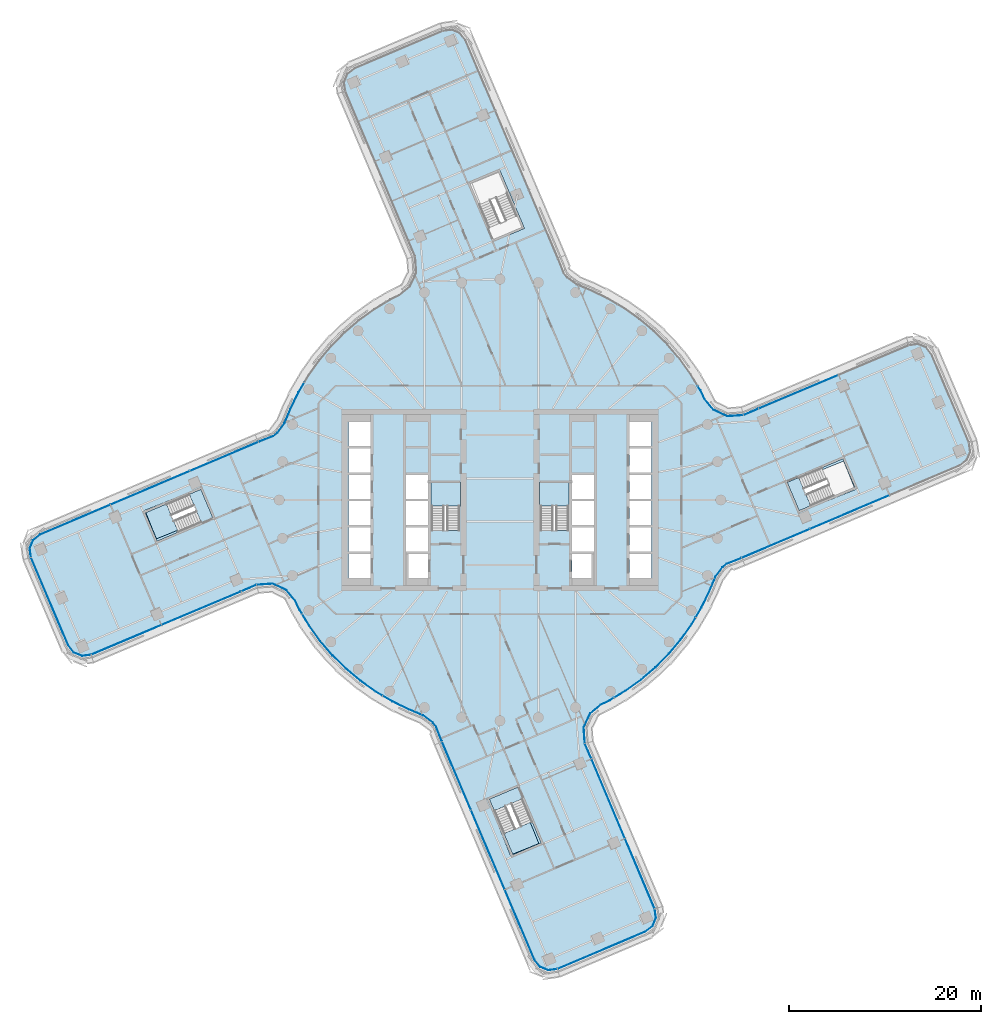
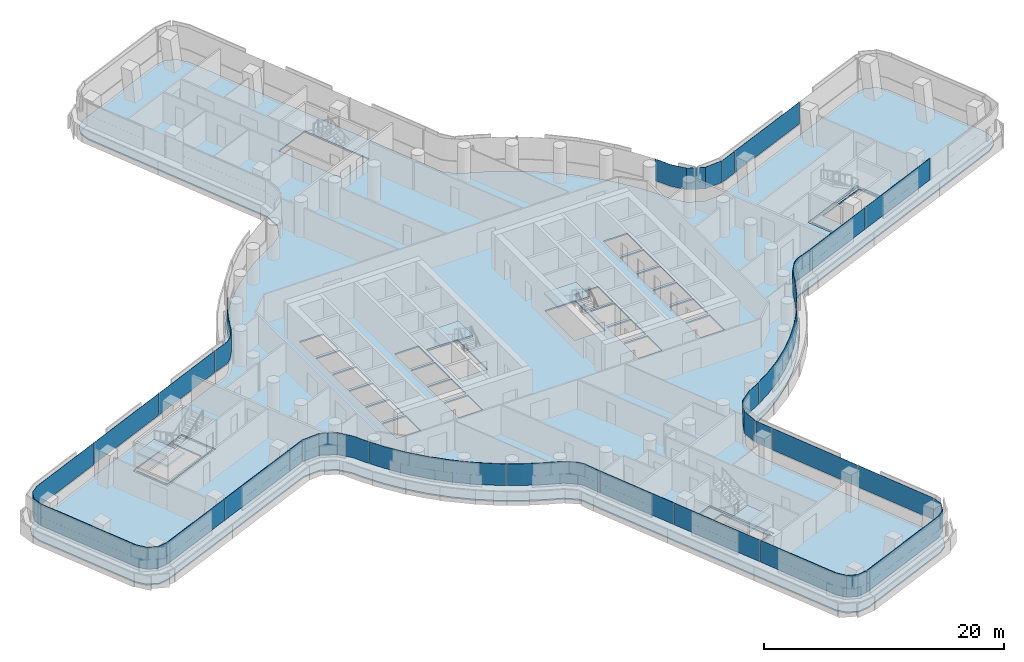
# One storey, part 19 of 35: 26 plates, 8 slabs, 16 elements without a shape of their own.
"""IFC4 building model written with IfcOpenShell, lengths in metres."""

import ifcopenshell
import ifcopenshell.guid

model = None  # the IFC model being written
_history = None  # IfcOwnerHistory: only IFC2X3 demands one
_inside = {}  # id of a spatial element -> (the spatial element, [elements in it])
_under = {}  # id of a project, library or spatial element -> (it, [spatial elements below it])
_declared = {}  # id of a project -> (the project, [libraries it declares])
_typed = {}  # id of a type object -> (the type object, [elements of that type])
_made_of = {}  # id of a material, layer set ... -> (it, [elements and type objects made of it])


def new_model(schema):
    """Start an empty IFC model of exactly this schema.

    Asked for "IFC4X3", IfcOpenShell would pick the latest addendum, in which some entities
    have other attributes; the version numbers below select the first issue.
    IFC2X3 requires an IfcOwnerHistory on every rooted entity: one is made here for all.
    """
    global model, _history
    if schema == "IFC4X3":
        model = ifcopenshell.file(schema_version=(4, 3, 0, 0))
    else:
        model = ifcopenshell.file(schema=schema)
    _inside.clear()
    _under.clear()
    _declared.clear()
    _typed.clear()
    _made_of.clear()
    _history = None
    if model.schema == "IFC2X3":
        org = make("IfcOrganization", Name="unknown")
        user = make(
            "IfcPersonAndOrganization",
            ThePerson=make("IfcPerson", FamilyName="unknown"),
            TheOrganization=org,
        )
        app = make(
            "IfcApplication",
            ApplicationDeveloper=org,
            Version="unknown",
            ApplicationFullName="unknown",
            ApplicationIdentifier="unknown",
        )
        _history = make(
            "IfcOwnerHistory",
            OwningUser=user,
            OwningApplication=app,
            ChangeAction="ADDED",
            CreationDate=0,
        )
    return model


def make(cls, **values):
    """One entity of the class cls with the attributes given. An attribute that is None is left unset."""
    return model.create_entity(
        cls, **{name: value for name, value in values.items() if value is not None}
    )


def rooted(cls, **values):
    """An entity with a GlobalId (a new one), such as an element, a storey or a relation."""
    return make(cls, GlobalId=ifcopenshell.guid.new(), OwnerHistory=_history, **values)


def si_unit(unit_type, name, prefix=None):
    """IfcSIUnit, for example si_unit("LENGTHUNIT", "METRE", prefix="MILLI")."""
    return make("IfcSIUnit", UnitType=unit_type, Prefix=prefix, Name=name)


def assignment(units):
    """IfcUnitAssignment: the units of a project."""
    return None if units is None else make("IfcUnitAssignment", Units=units)


def point(xyz):
    """IfcCartesianPoint."""
    return None if xyz is None else make("IfcCartesianPoint", Coordinates=xyz)


def direction(xyz):
    """IfcDirection."""
    return None if xyz is None else make("IfcDirection", DirectionRatios=xyz)


def frame(location, z_axis=None, x_axis=None):
    """IfcAxis2Placement3D, a coordinate frame: its origin and axes. An axis left out is left unset."""
    return make(
        "IfcAxis2Placement3D",
        Location=point(location),
        Axis=direction(z_axis),
        RefDirection=direction(x_axis),
    )


def origin():
    """The frame at (0, 0, 0) with its axes left unset."""
    return frame((0.0, 0.0, 0.0))


def place(relative_to, where):
    """IfcLocalPlacement: puts the frame where relative to a parent placement (None: the world)."""
    return make(
        "IfcLocalPlacement", PlacementRelTo=relative_to, RelativePlacement=where
    )


def context(
    kind, dimensions, precision=None, world=None, true_north=None, identifier=None
):
    """IfcGeometricRepresentationContext, for example the 3D "Model" context."""
    return make(
        "IfcGeometricRepresentationContext",
        ContextIdentifier=identifier,
        ContextType=kind,
        CoordinateSpaceDimension=dimensions,
        Precision=precision,
        WorldCoordinateSystem=world,
        TrueNorth=true_north,
    )


def subcontext(parent, identifier, kind, view, scale=None):
    """IfcGeometricRepresentationSubContext, for example "Body" below "Model"."""
    return make(
        "IfcGeometricRepresentationSubContext",
        ContextIdentifier=identifier,
        ContextType=kind,
        ParentContext=parent,
        TargetScale=scale,
        TargetView=view,
    )


def project(units=None, contexts=None):
    """IfcProject with its units and contexts."""
    return rooted(
        "IfcProject",
        Name="project",
        RepresentationContexts=contexts,
        UnitsInContext=assignment(units),
    )


def spatial(cls, under=None, at=None, **own):
    """A site, building, storey or space (cls), placed at a placement, below another one or the project."""
    s = rooted(cls, ObjectPlacement=at, **own)
    if under is not None:
        _under.setdefault(under.id(), (under, []))[1].append(s)
    return s


def polyline(points):
    """IfcPolyline through the points."""
    return make("IfcPolyline", Points=[point(p) for p in points])


def outline(outer, holes=None, kind="AREA"):
    """IfcArbitraryClosedProfileDef: a profile drawn as a closed curve; with holes, ...WithVoids."""
    if holes is None:
        return make("IfcArbitraryClosedProfileDef", ProfileType=kind, OuterCurve=outer)
    return make(
        "IfcArbitraryProfileDefWithVoids",
        ProfileType=kind,
        OuterCurve=outer,
        InnerCurves=holes,
    )


def extrude(swept, where, along, depth):
    """IfcExtrudedAreaSolid: the profile swept, set in the frame where, extruded along a direction by depth."""
    return make(
        "IfcExtrudedAreaSolid",
        SweptArea=swept,
        Position=where,
        ExtrudedDirection=direction(along),
        Depth=depth,
    )


def shape(context_of_items, identifier, shape_type, items):
    """IfcShapeRepresentation: the items that make up one representation, for example the "Body"."""
    return make(
        "IfcShapeRepresentation",
        ContextOfItems=context_of_items,
        RepresentationIdentifier=identifier,
        RepresentationType=shape_type,
        Items=items,
    )


def material(Name=None, Category=None):
    """IfcMaterial."""
    return make("IfcMaterial", Name=Name, Category=Category)


def layer(
    of_material, thickness, ventilated=None, Name=None, Category=None, Priority=None
):
    """IfcMaterialLayer: one layer of a wall or slab, of a material (None: an air gap)."""
    return make(
        "IfcMaterialLayer",
        Material=of_material,
        LayerThickness=thickness,
        IsVentilated=ventilated,
        Name=Name,
        Category=Category,
        Priority=Priority,
    )


def layer_set(layers, Name=None):
    """IfcMaterialLayerSet."""
    return make("IfcMaterialLayerSet", MaterialLayers=layers, LayerSetName=Name)


def made_of(thing, what):
    """Note that an element or type object is made of a material, layer set ...; save() writes the relation."""
    if what is not None:
        _made_of.setdefault(what.id(), (what, []))[1].append(thing)
    return thing


def type_object(cls, material=None, **own):
    """A type object (cls), such as IfcWallType, which elements share."""
    return made_of(rooted(cls, **own), material)


def element(
    cls,
    number,
    at=None,
    inside=None,
    cuts=None,
    type_object=None,
    material=None,
    context=None,
    identifier="Body",
    shape_type=None,
    held_by="IfcProductDefinitionShape",
    body=None,
    shapes=None,
    **own,
):
    """One element of the class cls, such as IfcWall. Its Tag is "e" and its number.

    at: its placement. inside: the storey or other place that contains it. cuts: it is an
    opening in that element (IfcRelVoidsElement). A single representation is given by context,
    identifier, shape_type and body (its items); several are given by shapes. held_by: the class
    of the entity that holds the representations. save() writes the other relations.
    """
    e = rooted(cls, Tag="e%d" % number, ObjectPlacement=at, **own)
    if body is not None:
        shapes = [shape(context, identifier, shape_type, body)]
    if shapes is not None:
        e.Representation = make(held_by, Representations=shapes)
    if inside is not None:
        _inside.setdefault(inside.id(), (inside, []))[1].append(e)
    if cuts is not None:
        rooted(
            "IfcRelVoidsElement", RelatingBuildingElement=cuts, RelatedOpeningElement=e
        )
    if type_object is not None:
        _typed.setdefault(type_object.id(), (type_object, []))[1].append(e)
    return made_of(e, material)


def aggregate(whole, parts):
    """IfcRelAggregates: a whole, such as a stair, and the parts it consists of."""
    return rooted("IfcRelAggregates", RelatingObject=whole, RelatedObjects=parts)


def save(model, path):
    """Write the relations noted so far, then the file.

    IfcRelAggregates (storeys below a building ...), IfcRelContainedInSpatialStructure (elements
    in a storey), IfcRelDefinesByType, IfcRelAssociatesMaterial and IfcRelDeclares: one each for
    every whole, place, type object, material and project.
    """
    for whole, parts in _under.values():
        aggregate(whole, parts)
    for where, things in _inside.values():
        rooted(
            "IfcRelContainedInSpatialStructure",
            RelatedElements=things,
            RelatingStructure=where,
        )
    for kind, things in _typed.values():
        rooted("IfcRelDefinesByType", RelatedObjects=things, RelatingType=kind)
    for what, things in _made_of.values():
        rooted("IfcRelAssociatesMaterial", RelatedObjects=things, RelatingMaterial=what)
    for by, libraries in _declared.values():
        rooted("IfcRelDeclares", RelatingContext=by, RelatedDefinitions=libraries)
    model.write(path)


model = new_model("IFC4")

# Units and contexts
model_context = context("Model", 3, precision=1e-05, world=origin(), true_north=direction((0.0, 1.0)))
body_context = subcontext(model_context, "Body", "Model", "MODEL_VIEW")
ifc_project = project(units=[si_unit("LENGTHUNIT", "METRE"), si_unit("AREAUNIT", "SQUARE_METRE"), si_unit("VOLUMEUNIT", "CUBIC_METRE"), si_unit("PLANEANGLEUNIT", "RADIAN"), si_unit("MASSUNIT", "GRAM", prefix="KILO")], contexts=[model_context])

# Site, building, storey
site_placement = place(None, origin())
site = spatial("IfcSite", under=ifc_project, at=site_placement, CompositionType="ELEMENT")
building_placement = place(site_placement, origin())
building = spatial("IfcBuilding", under=site, at=building_placement, Name="Tamarind Cross Interchange Tower", CompositionType="ELEMENT")
storey_placement = place(building_placement, frame((0.0, 0.0, 117.25)))
storey = spatial("IfcBuildingStorey", under=building, at=storey_placement, Name="L28", CompositionType="ELEMENT", Elevation=117.25)

# Slabs
ifc_material_1 = material(Name="Concrete C35", Category="concrete")
ifc_layer_1 = layer(ifc_material_1, 0.139892578125)
ifc_layer_set_1 = layer_set([ifc_layer_1], Name="Concrete C35")
slab_type_1 = type_object("IfcSlabType", Name="Composite slab 140 Concrete C35", PredefinedType="FLOOR", material=ifc_layer_set_1)
slab_1_placement = place(storey_placement, frame((0.0, 0.0, -0.139892578125)))
element("IfcSlab", 1, at=slab_1_placement, inside=storey, type_object=slab_type_1, Name="Floor slab L28", PredefinedType="FLOOR", context=body_context, shape_type="SweptSolid", body=[
    extrude(outline(polyline([(-23.7216796875, 6.82763671875), (-25.25927734375, 6.22119140625), (-47.982177734375, -3.41748046875), (-48.798095703125, -4.0546875), (-49.186279296875, -5.014404296875), (-49.04248046875, -6.03955078125), (-45.137451171875, -15.24560546875), (-44.500244140625, -16.0615234375), (-43.54052734375, -16.44970703125), (-42.51513671875, -16.305908203125), (-25.299560546875, -9.03759765625), (-23.701904296875, -8.923583984375), (-22.36865234375, -9.552978515625), (-21.50244140625, -10.614501953125), (-21.054443359375, -11.511474609375), (-20.031982421875, -13.2109375), (-18.87255859375, -14.820068359375), (-17.584228515625, -16.327880859375), (-16.17578125, -17.72412109375), (-14.656982421875, -18.99951171875), (-13.0380859375, -20.14501953125), (-11.329833984375, -21.15283203125), (-9.54443359375, -22.01611328125), (-8.08837890625, -22.62158203125), (-7.146484375, -23.318115234375), (-6.82763671875, -23.7216796875), (-6.22119140625, -25.25927734375), (3.41748046875, -47.982177734375), (4.0546875, -48.798095703125), (5.014404296875, -49.186279296875), (6.03955078125, -49.04248046875), (15.24560546875, -45.137451171875), (16.0615234375, -44.500244140625), (16.44970703125, -43.54052734375), (16.305908203125, -42.51513671875), (9.03759765625, -25.299560546875), (8.923583984375, -23.701904296875), (9.552978515625, -22.36865234375), (10.614501953125, -21.50244140625), (11.511474609375, -21.054443359375), (13.2109375, -20.031982421875), (14.820068359375, -18.87255859375), (16.327880859375, -17.584228515625), (17.72412109375, -16.17578125), (18.99951171875, -14.656982421875), (20.14501953125, -13.0380859375), (21.15283203125, -11.329833984375), (22.01611328125, -9.54443359375), (22.62158203125, -8.08837890625), (23.318115234375, -7.146484375), (23.7216796875, -6.82763671875), (25.25927734375, -6.22119140625), (47.982177734375, 3.41748046875), (48.798095703125, 4.0546875), (49.186279296875, 5.014404296875), (49.04248046875, 6.03955078125), (45.137451171875, 15.24560546875), (44.500244140625, 16.0615234375), (43.54052734375, 16.44970703125), (42.51513671875, 16.305908203125), (25.299560546875, 9.03759765625), (23.701904296875, 8.923583984375), (22.36865234375, 9.552978515625), (21.50244140625, 10.614501953125), (21.054443359375, 11.511474609375), (20.031982421875, 13.2109375), (18.87255859375, 14.820068359375), (17.584228515625, 16.327880859375), (16.17578125, 17.72412109375), (14.656982421875, 18.99951171875), (13.0380859375, 20.14501953125), (11.329833984375, 21.15283203125), (9.54443359375, 22.01611328125), (8.08837890625, 22.62158203125), (7.146484375, 23.318115234375), (6.82763671875, 23.7216796875), (6.22119140625, 25.25927734375), (-3.41748046875, 47.982177734375), (-4.0546875, 48.798095703125), (-5.014404296875, 49.186279296875), (-6.03955078125, 49.04248046875), (-15.24560546875, 45.137451171875), (-16.0615234375, 44.500244140625), (-16.44970703125, 43.54052734375), (-16.305908203125, 42.51513671875), (-9.03759765625, 25.299560546875), (-8.923583984375, 23.701904296875), (-9.552978515625, 22.36865234375), (-10.614501953125, 21.50244140625), (-11.511474609375, 21.054443359375), (-13.2109375, 20.031982421875), (-14.820068359375, 18.87255859375), (-16.327880859375, 17.584228515625), (-17.72412109375, 16.17578125), (-18.99951171875, 14.656982421875), (-20.14501953125, 13.0380859375), (-21.15283203125, 11.329833984375), (-22.01611328125, 9.54443359375), (-22.62158203125, 8.08837890625), (-23.318115234375, 7.146484375), (-23.7216796875, 6.82763671875)]), holes=[polyline([(-13.5, -8.125), (-15.800048828125, -8.125), (-15.800048828125, -5.625), (-13.5, -5.625), (-13.5, -8.125)]), polyline([(-7.5, -8.125), (-9.800048828125, -8.125), (-9.800048828125, -5.625), (-7.5, -5.625), (-7.5, -8.125)]), polyline([(-13.5, -5.375), (-15.800048828125, -5.375), (-15.800048828125, -2.875), (-13.5, -2.875), (-13.5, -5.375)]), polyline([(-35.8173828125, -4.5576171875), (-35.8955078125, -4.373291015625), (-37.14501953125, -1.427490234375), (-37.22314453125, -1.243408203125), (-36.960693359375, -1.132080078125), (-36.98291015625, -1.076416015625), (-33.931640625, 0.15283203125), (-31.05517578125, 1.373046875), (-30.97705078125, 1.18896484375), (-29.727294921875, -1.757080078125), (-29.6494140625, -1.941162109375), (-35.8173828125, -4.5576171875)]), polyline([(-13.5, -2.625), (-15.800048828125, -2.625), (-15.800048828125, -0.125), (-13.5, -0.125), (-13.5, -2.625)]), polyline([(-7.5, -2.625), (-9.800048828125, -2.625), (-9.800048828125, -0.125), (-7.5, -0.125), (-7.5, -2.625)]), polyline([(-13.5, 0.125), (-15.800048828125, 0.125), (-15.800048828125, 2.625), (-13.5, 2.625), (-13.5, 0.125)]), polyline([(-7.5, 0.125), (-9.800048828125, 0.125), (-9.800048828125, 2.625), (-7.5, 2.625), (-7.5, 0.125)]), polyline([(-13.5, 2.875), (-15.800048828125, 2.875), (-15.800048828125, 5.375), (-13.5, 5.375), (-13.5, 2.875)]), polyline([(-15.800048828125, 5.625), (-15.800048828125, 8.125), (-13.5, 8.125), (-13.5, 5.625), (-15.800048828125, 5.625)]), polyline([(4.5576171875, -35.8173828125), (4.373291015625, -35.8955078125), (1.427490234375, -37.14501953125), (1.243408203125, -37.22314453125), (1.132080078125, -36.960693359375), (1.076416015625, -36.98291015625), (-0.15283203125, -33.931640625), (-1.373046875, -31.05517578125), (-1.18896484375, -30.97705078125), (1.757080078125, -29.727294921875), (1.941162109375, -29.6494140625), (4.5576171875, -35.8173828125)]), polyline([(-9.800048828125, -5.375), (-9.800048828125, -2.875), (-7.5, -2.875), (-7.5, -5.375), (-9.800048828125, -5.375)]), polyline([(-4.199951171875, -3.18798828125), (-7.14990234375, -3.18798828125), (-7.14990234375, 1.800048828125), (-4.199951171875, 1.800048828125), (-4.199951171875, -3.18798828125)]), polyline([(7.14990234375, 1.800048828125), (7.14990234375, -3.18798828125), (4.199951171875, -3.18798828125), (4.199951171875, 1.800048828125), (7.14990234375, 1.800048828125)]), polyline([(7.5, 2.625), (9.800048828125, 2.625), (9.800048828125, 0.125), (7.5, 0.125), (7.5, 2.625)]), polyline([(-3.385986328125, 33.055419921875), (-3.201904296875, 33.133544921875), (-0.256103515625, 34.38330078125), (-0.072021484375, 34.461181640625), (0.039794921875, 34.198486328125), (0.044677734375, 34.2001953125), (0.15283203125, 33.931640625), (2.54443359375, 28.293212890625), (2.3603515625, 28.215087890625), (-0.585693359375, 26.965576171875), (-0.769775390625, 26.887451171875), (-3.385986328125, 33.055419921875)]), polyline([(7.5, -5.625), (9.800048828125, -5.625), (9.800048828125, -8.125), (7.5, -8.125), (7.5, -5.625)]), polyline([(15.800048828125, -5.625), (15.800048828125, -8.125), (13.5, -8.125), (13.5, -5.625), (15.800048828125, -5.625)]), polyline([(9.800048828125, -2.875), (9.800048828125, -5.375), (7.5, -5.375), (7.5, -2.875), (9.800048828125, -2.875)]), polyline([(13.5, -2.875), (15.800048828125, -2.875), (15.800048828125, -5.375), (13.5, -5.375), (13.5, -2.875)]), polyline([(7.5, -0.125), (9.800048828125, -0.125), (9.800048828125, -2.625), (7.5, -2.625), (7.5, -0.125)]), polyline([(13.5, -0.125), (15.800048828125, -0.125), (15.800048828125, -2.625), (13.5, -2.625), (13.5, -0.125)]), polyline([(31.05517578125, -1.373046875), (30.97705078125, -1.18896484375), (29.727294921875, 1.757080078125), (29.6494140625, 1.941162109375), (35.8173828125, 4.5576171875), (35.8955078125, 4.373291015625), (37.14501953125, 1.427490234375), (37.22314453125, 1.243408203125), (36.960693359375, 1.132080078125), (36.98291015625, 1.076416015625), (33.931640625, -0.15283203125), (31.05517578125, -1.373046875)]), polyline([(13.5, 2.625), (15.800048828125, 2.625), (15.800048828125, 0.125), (13.5, 0.125), (13.5, 2.625)]), polyline([(15.800048828125, 5.375), (15.800048828125, 2.875), (13.5, 2.875), (13.5, 5.375), (15.800048828125, 5.375)]), polyline([(15.800048828125, 8.125), (15.800048828125, 5.625), (13.5, 5.625), (13.5, 8.125), (15.800048828125, 8.125)])]), origin(), (0.0, 0.0, 1.0), 0.139892578125),
])
slab_2_placement = place(storey_placement, frame((0.0, 0.0, -0.139892578125)))
element("IfcSlab", 2, at=slab_2_placement, inside=storey, type_object=slab_type_1, Name="Floor slab L28", PredefinedType="FLOOR", context=body_context, shape_type="SweptSolid", body=[
    extrude(outline(polyline([(-35.787353515625, -4.044677734375), (-36.885986328125, -1.3173828125), (-36.9609375, -1.349365234375), (-35.711181640625, -4.29541015625), (-29.91162109375, -1.835205078125), (-31.1611328125, 1.11083984375), (-32.293212890625, 0.630615234375), (-32.368896484375, 0.598388671875), (-31.185791015625, -2.19091796875), (-35.787353515625, -4.044677734375)])), origin(), (0.0, 0.0, 1.0), 0.139892578125),
])
slab_3_placement = place(storey_placement, frame((0.0, 0.0, -0.139892578125)))
element("IfcSlab", 3, at=slab_3_placement, inside=storey, type_object=slab_type_1, Name="Floor slab L28", PredefinedType="FLOOR", context=body_context, shape_type="SweptSolid", body=[
    extrude(outline(polyline([(1.349365234375, -36.9609375), (4.29541015625, -35.711181640625), (1.835205078125, -29.91162109375), (-1.11083984375, -31.1611328125), (-0.630615234375, -32.293212890625), (-0.598388671875, -32.368896484375), (2.19091796875, -31.185791015625), (4.044677734375, -35.787353515625), (1.3173828125, -36.885986328125), (1.349365234375, -36.9609375)])), origin(), (0.0, 0.0, 1.0), 0.139892578125),
])
slab_4_placement = place(storey_placement, frame((0.0, 0.0, -0.139892578125)))
element("IfcSlab", 4, at=slab_4_placement, inside=storey, type_object=slab_type_1, Name="Floor slab L28", PredefinedType="FLOOR", context=body_context, shape_type="SweptSolid", body=[
    extrude(outline(polyline([(35.787353515625, 4.044677734375), (36.885986328125, 1.3173828125), (36.9609375, 1.349365234375), (35.711181640625, 4.29541015625), (29.91162109375, 1.835205078125), (31.1611328125, -1.11083984375), (32.293212890625, -0.630615234375), (32.368896484375, -0.598388671875), (31.185791015625, 2.19091796875), (35.787353515625, 4.044677734375)])), origin(), (0.0, 0.0, 1.0), 0.139892578125),
])

# Stair, slab
ifc_material_2 = material(Name="Exit stair")
stair_type = type_object("IfcStairType", Name="Exit stair", PredefinedType="HALF_TURN_STAIR", material=ifc_material_2)
stair_1_placement = place(storey_placement, origin())
stair_1 = element("IfcStair", 5, at=stair_1_placement, inside=storey, type_object=stair_type, Name="L28 exit stair ST1", PredefinedType="HALF_TURN_STAIR")
ifc_material_3 = material(Name="Concrete C40", Category="concrete")
ifc_layer_2 = layer(ifc_material_3, 0.199951171875)
ifc_layer_set_2 = layer_set([ifc_layer_2], Name="Concrete C40")
slab_type_2 = type_object("IfcSlabType", Name="Stair landing", PredefinedType="LANDING", material=ifc_layer_set_2)
slab_5_placement = place(storey_placement, frame((0.0, 0.0, 1.675048828125)))
slab_5 = element("IfcSlab", 6, at=slab_5_placement, type_object=slab_type_2, Name="ST1 landing 1", PredefinedType="LANDING", context=body_context, shape_type="SweptSolid", body=[
    extrude(outline(polyline([(-4.10009765625, -0.60009765625), (-4.10009765625, 1.800048828125), (-7.199951171875, 1.800048828125), (-7.199951171875, -0.60009765625), (-4.10009765625, -0.60009765625)])), origin(), (0.0, 0.0, 1.0), 0.199951171875),
])
aggregate(stair_1, [slab_5])

stair_2_placement = place(storey_placement, origin())
stair_2 = element("IfcStair", 7, at=stair_2_placement, inside=storey, type_object=stair_type, Name="L28 exit stair ST2", PredefinedType="HALF_TURN_STAIR")
slab_6_placement = place(storey_placement, frame((0.0, 0.0, 1.675048828125)))
slab_6 = element("IfcSlab", 8, at=slab_6_placement, type_object=slab_type_2, Name="ST2 landing 1", PredefinedType="LANDING", context=body_context, shape_type="SweptSolid", body=[
    extrude(outline(polyline([(7.199951171875, -0.60009765625), (7.199951171875, 1.800048828125), (4.10009765625, 1.800048828125), (4.10009765625, -0.60009765625), (7.199951171875, -0.60009765625)])), origin(), (0.0, 0.0, 1.0), 0.199951171875),
])
aggregate(stair_2, [slab_6])

stair_3_placement = place(storey_placement, origin())
stair_3 = element("IfcStair", 9, at=stair_3_placement, inside=storey, type_object=stair_type, Name="L28 exit stair ST5", PredefinedType="HALF_TURN_STAIR")
slab_7_placement = place(storey_placement, frame((0.0, 0.0, 1.675048828125)))
slab_7 = element("IfcSlab", 10, at=slab_7_placement, type_object=slab_type_2, Name="ST5 landing 1", PredefinedType="LANDING", context=body_context, shape_type="SweptSolid", body=[
    extrude(outline(polyline([(-34.740478515625, -0.407470703125), (-36.9609375, -1.349365234375), (-35.71142578125, -4.29541015625), (-33.49072265625, -3.353515625), (-34.740478515625, -0.407470703125)])), origin(), (0.0, 0.0, 1.0), 0.199951171875),
])
aggregate(stair_3, [slab_7])

stair_4_placement = place(storey_placement, origin())
stair_4 = element("IfcStair", 11, at=stair_4_placement, inside=storey, type_object=stair_type, Name="L28 exit stair ST6", PredefinedType="HALF_TURN_STAIR")
slab_8_placement = place(storey_placement, frame((0.0, 0.0, 1.675048828125)))
slab_8 = element("IfcSlab", 12, at=slab_8_placement, type_object=slab_type_2, Name="ST6 landing 1", PredefinedType="LANDING", context=body_context, shape_type="SweptSolid", body=[
    extrude(outline(polyline([(0.407470703125, -34.740478515625), (1.349365234375, -36.9609375), (4.29541015625, -35.71142578125), (3.353515625, -33.49072265625), (0.407470703125, -34.740478515625)])), origin(), (0.0, 0.0, 1.0), 0.199951171875),
])
aggregate(stair_4, [slab_8])

# Curtain wall, plate
ifc_material_4 = material(Name="Aluminium 6063-T6", Category="aluminium")
ifc_layer_3 = layer(ifc_material_4, 0.159912109375)
ifc_layer_set_3 = layer_set([ifc_layer_3], Name="Aluminium 6063-T6")
curtain_wall_type = type_object("IfcCurtainWallType", Name="Office curtain wall, 9.0 m bays", PredefinedType="NOTDEFINED", material=ifc_layer_set_3)
curtain_wall_1_placement = place(storey_placement, origin())
curtain_wall_1 = element("IfcCurtainWall", 13, at=curtain_wall_1_placement, inside=storey, type_object=curtain_wall_type, Name="CWS-L28-00", PredefinedType="NOTDEFINED")
ifc_material_5 = material(Name="Laminated low-e glass 8+1.52+8", Category="glass")
ifc_layer_4 = layer(ifc_material_5, 0.028076171875)
ifc_layer_set_4 = layer_set([ifc_layer_4], Name="Laminated low-e glass 8+1.52+8")
plate_type = type_object("IfcPlateType", Name="Vision panel CW1", PredefinedType="CURTAIN_PANEL", material=ifc_layer_set_4)
plate_1_placement = place(storey_placement, frame((0.0, 0.0, 1.39990234375)))
plate_1 = element("IfcPlate", 14, at=plate_1_placement, type_object=plate_type, Name="CWP-L28-00-00", PredefinedType="CURTAIN_PANEL", context=body_context, shape_type="SweptSolid", body=[
    extrude(outline(polyline([(-48.823486328125, -6.0078125), (-44.951416015625, -15.13623046875), (-44.366943359375, -15.884765625), (-43.513427734375, -16.229736328125), (-42.6005859375, -16.101806640625), (-42.5966796875, -16.12939453125), (-43.516845703125, -16.258544921875), (-44.38427734375, -15.90771484375), (-44.975830078125, -15.150390625), (-48.84912109375, -6.018798828125), (-48.823486328125, -6.0078125)])), origin(), (0.0, 0.0, 1.0), 2.210205078125),
])
aggregate(curtain_wall_1, [plate_1])

# Curtain wall, plates
curtain_wall_2_placement = place(storey_placement, origin())
curtain_wall_2 = element("IfcCurtainWall", 15, at=curtain_wall_2_placement, inside=storey, type_object=curtain_wall_type, Name="CWS-L28-01", PredefinedType="NOTDEFINED")
plate_2_placement = place(storey_placement, frame((0.0, 0.0, 1.39990234375)))
plate_2 = element("IfcPlate", 16, at=plate_2_placement, type_object=plate_type, Name="CWP-L28-01-00", PredefinedType="CURTAIN_PANEL", context=body_context, shape_type="SweptSolid", body=[
    extrude(outline(polyline([(-42.546630859375, -16.0869140625), (-35.271728515625, -13.015380859375), (-35.2607421875, -13.041259765625), (-42.535888671875, -16.112548828125), (-42.546630859375, -16.0869140625)])), origin(), (0.0, 0.0, 1.0), 2.210205078125),
])
plate_3_placement = place(storey_placement, frame((0.0, 0.0, 1.39990234375)))
plate_3 = element("IfcPlate", 17, at=plate_3_placement, type_object=plate_type, Name="CWP-L28-01-01", PredefinedType="CURTAIN_PANEL", context=body_context, shape_type="SweptSolid", body=[
    extrude(outline(polyline([(-35.216552734375, -12.9921875), (-26.977294921875, -9.513671875), (-26.96630859375, -9.53955078125), (-35.20556640625, -13.017822265625), (-35.216552734375, -12.9921875)])), origin(), (0.0, 0.0, 1.0), 2.210205078125),
])
plate_4_placement = place(storey_placement, frame((0.0, 0.0, 1.39990234375)))
plate_4 = element("IfcPlate", 18, at=plate_4_placement, type_object=plate_type, Name="CWP-L28-01-02", PredefinedType="CURTAIN_PANEL", context=body_context, shape_type="SweptSolid", body=[
    extrude(outline(polyline([(-26.921875, -9.490478515625), (-25.3798828125, -8.83935546875), (-25.369140625, -8.865234375), (-26.9111328125, -9.51611328125), (-26.921875, -9.490478515625)])), origin(), (0.0, 0.0, 1.0), 2.210205078125),
])
aggregate(curtain_wall_2, [plate_2, plate_3, plate_4])

curtain_wall_3_placement = place(storey_placement, origin())
curtain_wall_3 = element("IfcCurtainWall", 19, at=curtain_wall_3_placement, inside=storey, type_object=curtain_wall_type, Name="CWS-L28-02", PredefinedType="NOTDEFINED")
plate_5_placement = place(storey_placement, frame((0.0, 0.0, 1.39990234375)))
plate_5 = element("IfcPlate", 20, at=plate_5_placement, type_object=plate_type, Name="CWP-L28-02-00", PredefinedType="CURTAIN_PANEL", context=body_context, shape_type="SweptSolid", body=[
    extrude(outline(polyline([(-25.31787109375, -8.824462890625), (-23.661376953125, -8.7060546875), (-22.2333984375, -9.38037109375), (-21.32177734375, -10.49755859375), (-20.86669921875, -11.408447265625), (-20.609619140625, -11.8359375), (-20.633544921875, -11.850341796875), (-20.891357421875, -11.421875), (-21.345458984375, -10.5126953125), (-22.251220703125, -9.40283203125), (-23.666748046875, -8.734619140625), (-25.31591796875, -8.8525390625), (-25.31787109375, -8.824462890625)])), origin(), (0.0, 0.0, 1.0), 2.210205078125),
])
plate_6_placement = place(storey_placement, frame((0.0, 0.0, 1.39990234375)))
plate_6 = element("IfcPlate", 21, at=plate_6_placement, type_object=plate_type, Name="CWP-L28-02-01", PredefinedType="CURTAIN_PANEL", context=body_context, shape_type="SweptSolid", body=[
    extrude(outline(polyline([(-20.57861328125, -11.887451171875), (-19.85302734375, -13.093017578125), (-18.7041015625, -14.687744140625), (-17.42724609375, -16.18212890625), (-16.031494140625, -17.56591796875), (-14.526123046875, -18.829833984375), (-12.921630859375, -19.965087890625), (-12.257080078125, -20.357177734375), (-12.271240234375, -20.38134765625), (-12.936767578125, -19.988525390625), (-14.543212890625, -18.85205078125), (-16.05029296875, -17.586669921875), (-17.44775390625, -16.201171875), (-18.72607421875, -14.705078125), (-19.87646484375, -13.1083984375), (-20.6025390625, -11.90185546875), (-20.57861328125, -11.887451171875)])), origin(), (0.0, 0.0, 1.0), 2.210205078125),
])
plate_7_placement = place(storey_placement, frame((0.0, 0.0, 1.39990234375)))
plate_7 = element("IfcPlate", 22, at=plate_7_placement, type_object=plate_type, Name="CWP-L28-02-02", PredefinedType="CURTAIN_PANEL", context=body_context, shape_type="SweptSolid", body=[
    extrude(outline(polyline([(-12.205322265625, -20.3876953125), (-11.228759765625, -20.9638671875), (-9.456787109375, -21.82080078125), (-7.982177734375, -22.433837890625), (-6.996337890625, -23.1630859375), (-6.64013671875, -23.613525390625), (-6.033935546875, -25.150634765625), (-6.06005859375, -25.160888671875), (-6.664794921875, -23.627685546875), (-7.01611328125, -23.183349609375), (-7.99609375, -22.45849609375), (-9.46826171875, -21.846435546875), (-11.241943359375, -20.98876953125), (-12.2197265625, -20.411865234375), (-12.205322265625, -20.3876953125)])), origin(), (0.0, 0.0, 1.0), 2.210205078125),
])
aggregate(curtain_wall_3, [plate_5, plate_6, plate_7])

curtain_wall_4_placement = place(storey_placement, origin())
curtain_wall_4 = element("IfcCurtainWall", 23, at=curtain_wall_4_placement, inside=storey, type_object=curtain_wall_type, Name="CWS-L28-03", PredefinedType="NOTDEFINED")
plate_8_placement = place(storey_placement, frame((0.0, 0.0, 1.39990234375)))
plate_8 = element("IfcPlate", 24, at=plate_8_placement, type_object=plate_type, Name="CWP-L28-03-00", PredefinedType="CURTAIN_PANEL", context=body_context, shape_type="SweptSolid", body=[
    extrude(outline(polyline([(-6.011474609375, -25.205810546875), (-3.020263671875, -32.25732421875), (-3.046142578125, -32.268310546875), (-6.037353515625, -25.216552734375), (-6.011474609375, -25.205810546875)])), origin(), (0.0, 0.0, 1.0), 2.210205078125),
])
plate_9_placement = place(storey_placement, frame((0.0, 0.0, 1.39990234375)))
plate_9 = element("IfcPlate", 25, at=plate_9_placement, type_object=plate_type, Name="CWP-L28-03-01", PredefinedType="CURTAIN_PANEL", context=body_context, shape_type="SweptSolid", body=[
    extrude(outline(polyline([(-2.996826171875, -32.3125), (0.489990234375, -40.532958984375), (0.46435546875, -40.5439453125), (-3.022705078125, -32.323486328125), (-2.996826171875, -32.3125)])), origin(), (0.0, 0.0, 1.0), 2.210205078125),
])
plate_10_placement = place(storey_placement, frame((0.0, 0.0, 1.39990234375)))
plate_10 = element("IfcPlate", 26, at=plate_10_placement, type_object=plate_type, Name="CWP-L28-03-02", PredefinedType="CURTAIN_PANEL", context=body_context, shape_type="SweptSolid", body=[
    extrude(outline(polyline([(0.513427734375, -40.58837890625), (3.603271484375, -47.872802734375), (4.18798828125, -48.621337890625), (5.04150390625, -48.96630859375), (5.9541015625, -48.83837890625), (5.9580078125, -48.865966796875), (5.037841796875, -48.9951171875), (4.17041015625, -48.64453125), (3.5791015625, -47.886962890625), (0.48779296875, -40.59912109375), (0.513427734375, -40.58837890625)])), origin(), (0.0, 0.0, 1.0), 2.210205078125),
])
aggregate(curtain_wall_4, [plate_8, plate_9, plate_10])

# Curtain wall, plate
curtain_wall_5_placement = place(storey_placement, origin())
curtain_wall_5 = element("IfcCurtainWall", 27, at=curtain_wall_5_placement, inside=storey, type_object=curtain_wall_type, Name="CWS-L28-04", PredefinedType="NOTDEFINED")
plate_11_placement = place(storey_placement, frame((0.0, 0.0, 1.39990234375)))
plate_11 = element("IfcPlate", 28, at=plate_11_placement, type_object=plate_type, Name="CWP-L28-04-00", PredefinedType="CURTAIN_PANEL", context=body_context, shape_type="SweptSolid", body=[
    extrude(outline(polyline([(6.0078125, -48.823486328125), (15.13623046875, -44.951416015625), (15.884765625, -44.366943359375), (16.229736328125, -43.513427734375), (16.101806640625, -42.6005859375), (16.12939453125, -42.5966796875), (16.258544921875, -43.516845703125), (15.90771484375, -44.38427734375), (15.150390625, -44.975830078125), (6.018798828125, -48.84912109375), (6.0078125, -48.823486328125)])), origin(), (0.0, 0.0, 1.0), 2.210205078125),
])
aggregate(curtain_wall_5, [plate_11])

# Curtain wall, plates
curtain_wall_6_placement = place(storey_placement, origin())
curtain_wall_6 = element("IfcCurtainWall", 29, at=curtain_wall_6_placement, inside=storey, type_object=curtain_wall_type, Name="CWS-L28-05", PredefinedType="NOTDEFINED")
plate_12_placement = place(storey_placement, frame((0.0, 0.0, 1.39990234375)))
plate_12 = element("IfcPlate", 30, at=plate_12_placement, type_object=plate_type, Name="CWP-L28-05-00", PredefinedType="CURTAIN_PANEL", context=body_context, shape_type="SweptSolid", body=[
    extrude(outline(polyline([(16.0869140625, -42.546630859375), (13.015380859375, -35.271728515625), (13.041259765625, -35.2607421875), (16.112548828125, -42.535888671875), (16.0869140625, -42.546630859375)])), origin(), (0.0, 0.0, 1.0), 2.210205078125),
])
plate_13_placement = place(storey_placement, frame((0.0, 0.0, 1.39990234375)))
plate_13 = element("IfcPlate", 31, at=plate_13_placement, type_object=plate_type, Name="CWP-L28-05-01", PredefinedType="CURTAIN_PANEL", context=body_context, shape_type="SweptSolid", body=[
    extrude(outline(polyline([(12.9921875, -35.216552734375), (9.513671875, -26.977294921875), (9.53955078125, -26.96630859375), (13.017822265625, -35.20556640625), (12.9921875, -35.216552734375)])), origin(), (0.0, 0.0, 1.0), 2.210205078125),
])
plate_14_placement = place(storey_placement, frame((0.0, 0.0, 1.39990234375)))
plate_14 = element("IfcPlate", 32, at=plate_14_placement, type_object=plate_type, Name="CWP-L28-05-02", PredefinedType="CURTAIN_PANEL", context=body_context, shape_type="SweptSolid", body=[
    extrude(outline(polyline([(9.490478515625, -26.921875), (8.83935546875, -25.3798828125), (8.865234375, -25.369140625), (9.51611328125, -26.9111328125), (9.490478515625, -26.921875)])), origin(), (0.0, 0.0, 1.0), 2.210205078125),
])
aggregate(curtain_wall_6, [plate_12, plate_13, plate_14])

curtain_wall_7_placement = place(storey_placement, origin())
curtain_wall_7 = element("IfcCurtainWall", 33, at=curtain_wall_7_placement, inside=storey, type_object=curtain_wall_type, Name="CWS-L28-06", PredefinedType="NOTDEFINED")
plate_15_placement = place(storey_placement, frame((0.0, 0.0, 1.39990234375)))
plate_15 = element("IfcPlate", 34, at=plate_15_placement, type_object=plate_type, Name="CWP-L28-06-00", PredefinedType="CURTAIN_PANEL", context=body_context, shape_type="SweptSolid", body=[
    extrude(outline(polyline([(8.824462890625, -25.31787109375), (8.7060546875, -23.661376953125), (9.38037109375, -22.2333984375), (10.49755859375, -21.32177734375), (11.408447265625, -20.86669921875), (11.8359375, -20.609619140625), (11.850341796875, -20.633544921875), (11.421875, -20.891357421875), (10.5126953125, -21.345458984375), (9.40283203125, -22.251220703125), (8.734619140625, -23.666748046875), (8.8525390625, -25.31591796875), (8.824462890625, -25.31787109375)])), origin(), (0.0, 0.0, 1.0), 2.210205078125),
])
plate_16_placement = place(storey_placement, frame((0.0, 0.0, 1.39990234375)))
plate_16 = element("IfcPlate", 35, at=plate_16_placement, type_object=plate_type, Name="CWP-L28-06-01", PredefinedType="CURTAIN_PANEL", context=body_context, shape_type="SweptSolid", body=[
    extrude(outline(polyline([(11.887451171875, -20.57861328125), (13.093017578125, -19.85302734375), (14.687744140625, -18.7041015625), (16.18212890625, -17.42724609375), (17.56591796875, -16.031494140625), (18.829833984375, -14.526123046875), (19.965087890625, -12.921630859375), (20.357177734375, -12.257080078125), (20.38134765625, -12.271240234375), (19.988525390625, -12.936767578125), (18.85205078125, -14.543212890625), (17.586669921875, -16.05029296875), (16.201171875, -17.44775390625), (14.705078125, -18.72607421875), (13.1083984375, -19.87646484375), (11.90185546875, -20.6025390625), (11.887451171875, -20.57861328125)])), origin(), (0.0, 0.0, 1.0), 2.210205078125),
])
plate_17_placement = place(storey_placement, frame((0.0, 0.0, 1.39990234375)))
plate_17 = element("IfcPlate", 36, at=plate_17_placement, type_object=plate_type, Name="CWP-L28-06-02", PredefinedType="CURTAIN_PANEL", context=body_context, shape_type="SweptSolid", body=[
    extrude(outline(polyline([(20.3876953125, -12.205322265625), (20.9638671875, -11.228759765625), (21.82080078125, -9.456787109375), (22.433837890625, -7.982177734375), (23.1630859375, -6.996337890625), (23.613525390625, -6.64013671875), (25.150634765625, -6.033935546875), (25.160888671875, -6.06005859375), (23.627685546875, -6.664794921875), (23.183349609375, -7.01611328125), (22.45849609375, -7.99609375), (21.846435546875, -9.46826171875), (20.98876953125, -11.241943359375), (20.411865234375, -12.2197265625), (20.3876953125, -12.205322265625)])), origin(), (0.0, 0.0, 1.0), 2.210205078125),
])
aggregate(curtain_wall_7, [plate_15, plate_16, plate_17])

curtain_wall_8_placement = place(storey_placement, origin())
curtain_wall_8 = element("IfcCurtainWall", 37, at=curtain_wall_8_placement, inside=storey, type_object=curtain_wall_type, Name="CWS-L28-07", PredefinedType="NOTDEFINED")
plate_18_placement = place(storey_placement, frame((0.0, 0.0, 1.39990234375)))
plate_18 = element("IfcPlate", 38, at=plate_18_placement, type_object=plate_type, Name="CWP-L28-07-00", PredefinedType="CURTAIN_PANEL", context=body_context, shape_type="SweptSolid", body=[
    extrude(outline(polyline([(25.205810546875, -6.011474609375), (32.25732421875, -3.020263671875), (32.268310546875, -3.046142578125), (25.216552734375, -6.037353515625), (25.205810546875, -6.011474609375)])), origin(), (0.0, 0.0, 1.0), 2.210205078125),
])
plate_19_placement = place(storey_placement, frame((0.0, 0.0, 1.39990234375)))
plate_19 = element("IfcPlate", 39, at=plate_19_placement, type_object=plate_type, Name="CWP-L28-07-01", PredefinedType="CURTAIN_PANEL", context=body_context, shape_type="SweptSolid", body=[
    extrude(outline(polyline([(32.3125, -2.996826171875), (40.532958984375, 0.489990234375), (40.5439453125, 0.46435546875), (32.323486328125, -3.022705078125), (32.3125, -2.996826171875)])), origin(), (0.0, 0.0, 1.0), 2.210205078125),
])
aggregate(curtain_wall_8, [plate_18, plate_19])

curtain_wall_9_placement = place(storey_placement, origin())
curtain_wall_9 = element("IfcCurtainWall", 40, at=curtain_wall_9_placement, inside=storey, type_object=curtain_wall_type, Name="CWS-L28-09", PredefinedType="NOTDEFINED")
plate_20_placement = place(storey_placement, frame((0.0, 0.0, 1.39990234375)))
plate_20 = element("IfcPlate", 41, at=plate_20_placement, type_object=plate_type, Name="CWP-L28-09-01", PredefinedType="CURTAIN_PANEL", context=body_context, shape_type="SweptSolid", body=[
    extrude(outline(polyline([(35.216552734375, 12.9921875), (26.977294921875, 9.513671875), (26.96630859375, 9.53955078125), (35.20556640625, 13.017822265625), (35.216552734375, 12.9921875)])), origin(), (0.0, 0.0, 1.0), 2.210205078125),
])
plate_21_placement = place(storey_placement, frame((0.0, 0.0, 1.39990234375)))
plate_21 = element("IfcPlate", 42, at=plate_21_placement, type_object=plate_type, Name="CWP-L28-09-02", PredefinedType="CURTAIN_PANEL", context=body_context, shape_type="SweptSolid", body=[
    extrude(outline(polyline([(26.921875, 9.490478515625), (25.3798828125, 8.83935546875), (25.369140625, 8.865234375), (26.9111328125, 9.51611328125), (26.921875, 9.490478515625)])), origin(), (0.0, 0.0, 1.0), 2.210205078125),
])
aggregate(curtain_wall_9, [plate_20, plate_21])

# Curtain wall, plate
curtain_wall_10_placement = place(storey_placement, origin())
curtain_wall_10 = element("IfcCurtainWall", 43, at=curtain_wall_10_placement, inside=storey, type_object=curtain_wall_type, Name="CWS-L28-10", PredefinedType="NOTDEFINED")
plate_22_placement = place(storey_placement, frame((0.0, 0.0, 1.39990234375)))
plate_22 = element("IfcPlate", 44, at=plate_22_placement, type_object=plate_type, Name="CWP-L28-10-00", PredefinedType="CURTAIN_PANEL", context=body_context, shape_type="SweptSolid", body=[
    extrude(outline(polyline([(25.31787109375, 8.824462890625), (23.661376953125, 8.7060546875), (22.2333984375, 9.38037109375), (21.32177734375, 10.49755859375), (20.86669921875, 11.408447265625), (20.609619140625, 11.8359375), (20.633544921875, 11.850341796875), (20.891357421875, 11.421875), (21.345458984375, 10.5126953125), (22.251220703125, 9.40283203125), (23.666748046875, 8.734619140625), (25.31591796875, 8.8525390625), (25.31787109375, 8.824462890625)])), origin(), (0.0, 0.0, 1.0), 2.210205078125),
])
aggregate(curtain_wall_10, [plate_22])

curtain_wall_11_placement = place(storey_placement, origin())
curtain_wall_11 = element("IfcCurtainWall", 45, at=curtain_wall_11_placement, inside=storey, type_object=curtain_wall_type, Name="CWS-L28-14", PredefinedType="NOTDEFINED")
plate_23_placement = place(storey_placement, frame((0.0, 0.0, 1.39990234375)))
plate_23 = element("IfcPlate", 46, at=plate_23_placement, type_object=plate_type, Name="CWP-L28-14-02", PredefinedType="CURTAIN_PANEL", context=body_context, shape_type="SweptSolid", body=[
    extrude(outline(polyline([(-20.3876953125, 12.205322265625), (-20.9638671875, 11.228759765625), (-21.82080078125, 9.456787109375), (-22.433837890625, 7.982177734375), (-23.1630859375, 6.996337890625), (-23.613525390625, 6.64013671875), (-25.150634765625, 6.033935546875), (-25.160888671875, 6.06005859375), (-23.627685546875, 6.664794921875), (-23.183349609375, 7.01611328125), (-22.45849609375, 7.99609375), (-21.846435546875, 9.46826171875), (-20.98876953125, 11.241943359375), (-20.411865234375, 12.2197265625), (-20.3876953125, 12.205322265625)])), origin(), (0.0, 0.0, 1.0), 2.210205078125),
])
aggregate(curtain_wall_11, [plate_23])

# Curtain wall, plates
curtain_wall_12_placement = place(storey_placement, origin())
curtain_wall_12 = element("IfcCurtainWall", 47, at=curtain_wall_12_placement, inside=storey, type_object=curtain_wall_type, Name="CWS-L28-15", PredefinedType="NOTDEFINED")
plate_24_placement = place(storey_placement, frame((0.0, 0.0, 1.39990234375)))
plate_24 = element("IfcPlate", 48, at=plate_24_placement, type_object=plate_type, Name="CWP-L28-15-00", PredefinedType="CURTAIN_PANEL", context=body_context, shape_type="SweptSolid", body=[
    extrude(outline(polyline([(-25.205810546875, 6.011474609375), (-32.25732421875, 3.020263671875), (-32.268310546875, 3.046142578125), (-25.216552734375, 6.037353515625), (-25.205810546875, 6.011474609375)])), origin(), (0.0, 0.0, 1.0), 2.210205078125),
])
plate_25_placement = place(storey_placement, frame((0.0, 0.0, 1.39990234375)))
plate_25 = element("IfcPlate", 49, at=plate_25_placement, type_object=plate_type, Name="CWP-L28-15-01", PredefinedType="CURTAIN_PANEL", context=body_context, shape_type="SweptSolid", body=[
    extrude(outline(polyline([(-32.3125, 2.996826171875), (-40.532958984375, -0.489990234375), (-40.5439453125, -0.46435546875), (-32.323486328125, 3.022705078125), (-32.3125, 2.996826171875)])), origin(), (0.0, 0.0, 1.0), 2.210205078125),
])
plate_26_placement = place(storey_placement, frame((0.0, 0.0, 1.39990234375)))
plate_26 = element("IfcPlate", 50, at=plate_26_placement, type_object=plate_type, Name="CWP-L28-15-02", PredefinedType="CURTAIN_PANEL", context=body_context, shape_type="SweptSolid", body=[
    extrude(outline(polyline([(-40.58837890625, -0.513427734375), (-47.872802734375, -3.603271484375), (-48.621337890625, -4.18798828125), (-48.96630859375, -5.04150390625), (-48.83837890625, -5.9541015625), (-48.865966796875, -5.9580078125), (-48.9951171875, -5.037841796875), (-48.64453125, -4.17041015625), (-47.886962890625, -3.5791015625), (-40.59912109375, -0.48779296875), (-40.58837890625, -0.513427734375)])), origin(), (0.0, 0.0, 1.0), 2.210205078125),
])
aggregate(curtain_wall_12, [plate_24, plate_25, plate_26])

save(model, "model.ifc")
